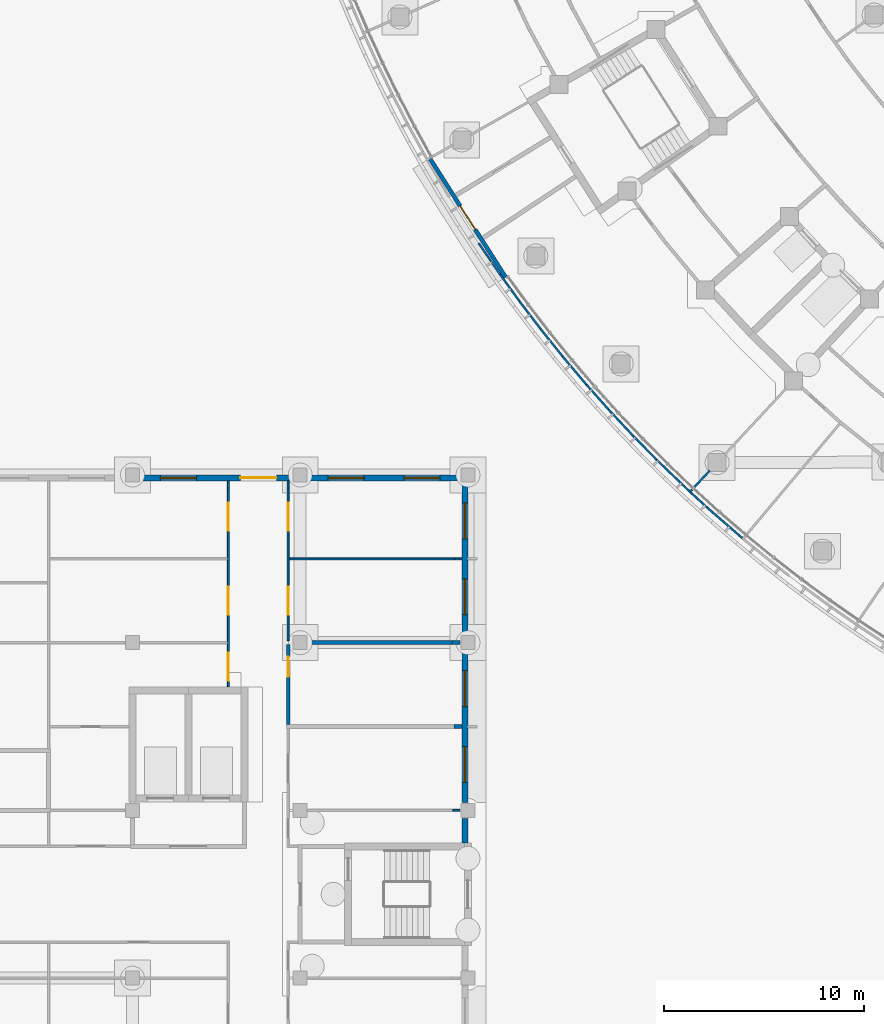
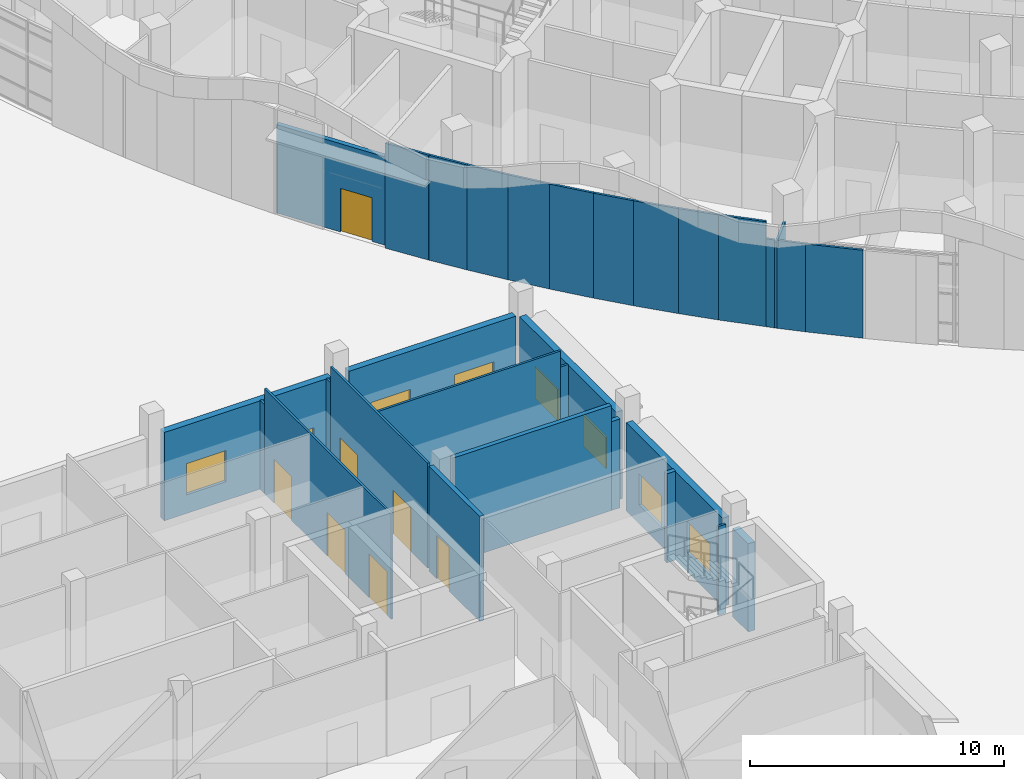
# One storey, part 58 of 146: 30 walls, 8 doors, 7 windows, 15 openings.
"""IFC4 building model written with IfcOpenShell, lengths in metres."""

from ifc_helpers import new_model, si_unit, direction, frame, frame_2d, origin, place, context, subcontext, project, spatial, rectangle, extrude, material, layer, layer_set, type_object, element, fill, save


model = new_model("IFC4")

# Units and contexts
model_context = context("Model", 3, precision=1e-05, world=origin(), true_north=direction((0.0, 1.0)))
body_context = subcontext(model_context, "Body", "Model", "MODEL_VIEW")
ifc_project = project(units=[si_unit("LENGTHUNIT", "METRE"), si_unit("AREAUNIT", "SQUARE_METRE"), si_unit("VOLUMEUNIT", "CUBIC_METRE"), si_unit("PLANEANGLEUNIT", "RADIAN"), si_unit("MASSUNIT", "GRAM", prefix="KILO")], contexts=[model_context])

# Site, building, storey
site_placement = place(None, origin())
site = spatial("IfcSite", under=ifc_project, at=site_placement, CompositionType="ELEMENT")
building_placement = place(site_placement, origin())
building = spatial("IfcBuilding", under=site, at=building_placement, Name="Bougainvillea Quay General Hospital", CompositionType="ELEMENT")
storey_placement = place(building_placement, origin())
storey = spatial("IfcBuildingStorey", under=building, at=storey_placement, Name="L00", CompositionType="ELEMENT", Elevation=0.0)

# Wall, opening, door
ifc_material_1 = material(Name="Insulated aluminium panel cladding, anodised silver", Category="aluminium")
ifc_layer_1 = layer(ifc_material_1, 0.199951171875)
ifc_layer_set_1 = layer_set([ifc_layer_1], Name="Insulated aluminium panel cladding, anodised silver")
wall_type_1 = type_object("IfcWallType", Name="Entrance portal wall 200", PredefinedType="STANDARD", material=ifc_layer_set_1)
wall_1_placement = place(storey_placement, frame((52.2890625, 85.501953125, 0.0), z_axis=(0.0, 0.0, 1.0), x_axis=(-0.537866880374, 0.843029785355, 0.0)))
wall_1 = element("IfcWall", 1, at=wall_1_placement, inside=storey, type_object=wall_type_1, Name="External wall wall/V6/L00/p0g1b5/00a", PredefinedType="STANDARD", context=body_context, shape_type="SweptSolid", body=[
    extrude(rectangle(XDim=7.072265625, YDim=0.199951171875, at=frame_2d((3.5361328125, 0.0))), origin(), (0.0, 0.0, 1.0), 4.25),
])
opening_1_placement = place(wall_1_placement, frame((2.8359375, 0.0, 0.0)))
opening_1 = element("IfcOpeningElement", 2, at=opening_1_placement, cuts=wall_1, Name="Opening L00.348", PredefinedType="OPENING", context=body_context, shape_type="SweptSolid", body=[
    extrude(rectangle(XDim=1.39990234375, YDim=2.10009765625, at=frame_2d((0.699951171875, 1.050048828125))), frame((0.0, 0.10986328125, 0.0), z_axis=(0.0, -1.0, 0.0), x_axis=(1.0, 0.0, 0.0)), (0.0, 0.0, 1.0), 0.219970703125),
])
ifc_material_2 = material(Name="Steel door leaf, painted, with vision panel", Category="steel")
door_type_1 = type_object("IfcDoorType", Name="Stair discharge door 1400x2100", OperationType="SINGLE_SWING_LEFT", PredefinedType="DOOR", material=ifc_material_2)
door_1_placement = place(opening_1_placement, origin())
door_1 = element("IfcDoor", 3, at=door_1_placement, inside=storey, type_object=door_type_1, Name="Stair discharge door ST-W2", OperationType="SINGLE_SWING_LEFT", OverallHeight=2.10009765625, OverallWidth=1.39990234375, PredefinedType="DOOR", context=body_context, shape_type="SweptSolid", body=[
    extrude(rectangle(XDim=1.39990234375, YDim=2.10009765625, at=frame_2d((0.699951171875, 1.050048828125))), frame((0.0, 0.02490234375, 0.0), z_axis=(0.0, -1.0, 0.0), x_axis=(1.0, 0.0, 0.0)), (0.0, 0.0, 1.0), 0.050048828125),
])
fill(opening_1, door_1)

# Wall, openings, windows
ifc_material_3 = material(Name="Pale stone rainscreen cladding on insulated masonry backing, pale stone", Category="masonry")
ifc_layer_2 = layer(ifc_material_3, 0.300048828125)
ifc_layer_set_2 = layer_set([ifc_layer_2], Name="Pale stone rainscreen cladding on insulated masonry backing, pale stone")
wall_type_2 = type_object("IfcWallType", Name="External wall pale stone rainscreen 300", PredefinedType="STANDARD", material=ifc_layer_set_2)
wall_2_placement = place(storey_placement, frame((50.25, 59.199951171875, 0.0), z_axis=(0.0, 0.0, 1.0), x_axis=(0.0, 1.0, 0.0)))
wall_2 = element("IfcWall", 4, at=wall_2_placement, inside=storey, type_object=wall_type_2, Name="External wall wall/V2/L00/p0/00e", PredefinedType="STANDARD", context=body_context, shape_type="SweptSolid", body=[
    extrude(rectangle(XDim=7.60009765625, YDim=0.300048828125, at=frame_2d((3.800048828125, 0.0))), origin(), (0.0, 0.0, 1.0), 4.25),
])
opening_2_placement = place(wall_2_placement, frame((1.0, 0.0, 0.89990234375)))
opening_2 = element("IfcOpeningElement", 5, at=opening_2_placement, cuts=wall_2, Name="Opening W1", PredefinedType="OPENING", context=body_context, shape_type="SweptSolid", body=[
    extrude(rectangle(XDim=1.800048828125, YDim=1.5, at=frame_2d((0.89990234375, 0.75))), frame((0.0, 0.159912109375, 0.0), z_axis=(0.0, -1.0, 0.0), x_axis=(1.0, 0.0, 0.0)), (0.0, 0.0, 1.0), 0.320068359375),
])
opening_3_placement = place(wall_2_placement, frame((4.800048828125, 0.0, 0.89990234375)))
opening_3 = element("IfcOpeningElement", 6, at=opening_3_placement, cuts=wall_2, Name="Opening W1", PredefinedType="OPENING", context=body_context, shape_type="SweptSolid", body=[
    extrude(rectangle(XDim=1.800048828125, YDim=1.5, at=frame_2d((0.89990234375, 0.75))), frame((0.0, 0.159912109375, 0.0), z_axis=(0.0, -1.0, 0.0), x_axis=(1.0, 0.0, 0.0)), (0.0, 0.0, 1.0), 0.320068359375),
])
ifc_material_4 = material(Name="Aluminium window frame with low-e double glazed unit", Category="aluminium")
window_type = type_object("IfcWindowType", Name="Window W1 1800x1500", PartitioningType="DOUBLE_PANEL_VERTICAL", PredefinedType="WINDOW", material=ifc_material_4)
window_1_placement = place(opening_2_placement, origin())
window_1 = element("IfcWindow", 7, at=window_1_placement, inside=storey, type_object=window_type, Name="Window W1 1", OverallHeight=1.5, OverallWidth=1.800048828125, PartitioningType="SINGLE_PANEL", PredefinedType="WINDOW", context=body_context, shape_type="SweptSolid", body=[
    extrude(rectangle(XDim=1.800048828125, YDim=1.5, at=frame_2d((0.89990234375, 0.75))), frame((0.0, 0.030029296875, 0.0), z_axis=(0.0, -1.0, 0.0), x_axis=(1.0, 0.0, 0.0)), (0.0, 0.0, 1.0), 0.06005859375),
])
fill(opening_2, window_1)
window_2_placement = place(opening_3_placement, origin())
window_2 = element("IfcWindow", 8, at=window_2_placement, inside=storey, type_object=window_type, Name="Window W1 2", OverallHeight=1.5, OverallWidth=1.800048828125, PartitioningType="SINGLE_PANEL", PredefinedType="WINDOW", context=body_context, shape_type="SweptSolid", body=[
    extrude(rectangle(XDim=1.800048828125, YDim=1.5, at=frame_2d((0.89990234375, 0.75))), frame((0.0, 0.030029296875, 0.0), z_axis=(0.0, -1.0, 0.0), x_axis=(1.0, 0.0, 0.0)), (0.0, 0.0, 1.0), 0.06005859375),
])
fill(opening_3, window_2)

wall_3_placement = place(storey_placement, frame((50.25, 67.60009765625, 0.0), z_axis=(0.0, 0.0, 1.0), x_axis=(0.0, 1.0, 0.0)))
wall_3 = element("IfcWall", 9, at=wall_3_placement, inside=storey, type_object=wall_type_2, Name="External wall wall/V2/L00/p0/00f", PredefinedType="STANDARD", context=body_context, shape_type="SweptSolid", body=[
    extrude(rectangle(XDim=7.599853515625, YDim=0.300048828125, at=frame_2d((3.7998046875, 0.0))), origin(), (0.0, 0.0, 1.0), 4.25),
])
opening_4_placement = place(wall_3_placement, frame((1.0, 0.0, 0.89990234375)))
opening_4 = element("IfcOpeningElement", 10, at=opening_4_placement, cuts=wall_3, Name="Opening W1", PredefinedType="OPENING", context=body_context, shape_type="SweptSolid", body=[
    extrude(rectangle(XDim=1.800048828125, YDim=1.5, at=frame_2d((0.89990234375, 0.75))), frame((0.0, 0.159912109375, 0.0), z_axis=(0.0, -1.0, 0.0), x_axis=(1.0, 0.0, 0.0)), (0.0, 0.0, 1.0), 0.320068359375),
])
opening_5_placement = place(wall_3_placement, frame((4.800048828125, 0.0, 0.89990234375)))
opening_5 = element("IfcOpeningElement", 11, at=opening_5_placement, cuts=wall_3, Name="Opening W1", PredefinedType="OPENING", context=body_context, shape_type="SweptSolid", body=[
    extrude(rectangle(XDim=1.800048828125, YDim=1.5, at=frame_2d((0.89990234375, 0.75))), frame((0.0, 0.159912109375, 0.0), z_axis=(0.0, -1.0, 0.0), x_axis=(1.0, 0.0, 0.0)), (0.0, 0.0, 1.0), 0.320068359375),
])
window_3_placement = place(opening_4_placement, origin())
window_3 = element("IfcWindow", 12, at=window_3_placement, inside=storey, type_object=window_type, Name="Window W1 1", OverallHeight=1.5, OverallWidth=1.800048828125, PartitioningType="SINGLE_PANEL", PredefinedType="WINDOW", context=body_context, shape_type="SweptSolid", body=[
    extrude(rectangle(XDim=1.800048828125, YDim=1.5, at=frame_2d((0.89990234375, 0.75))), frame((0.0, 0.030029296875, 0.0), z_axis=(0.0, -1.0, 0.0), x_axis=(1.0, 0.0, 0.0)), (0.0, 0.0, 1.0), 0.06005859375),
])
fill(opening_4, window_3)
window_4_placement = place(opening_5_placement, origin())
window_4 = element("IfcWindow", 13, at=window_4_placement, inside=storey, type_object=window_type, Name="Window W1 2", OverallHeight=1.5, OverallWidth=1.800048828125, PartitioningType="SINGLE_PANEL", PredefinedType="WINDOW", context=body_context, shape_type="SweptSolid", body=[
    extrude(rectangle(XDim=1.800048828125, YDim=1.5, at=frame_2d((0.89990234375, 0.75))), frame((0.0, 0.030029296875, 0.0), z_axis=(0.0, -1.0, 0.0), x_axis=(1.0, 0.0, 0.0)), (0.0, 0.0, 1.0), 0.06005859375),
])
fill(opening_5, window_4)

wall_4_placement = place(storey_placement, frame((50.0, 75.449951171875, 0.0), z_axis=(0.0, 0.0, 1.0), x_axis=(-1.0, 0.0, 0.0)))
wall_4 = element("IfcWall", 14, at=wall_4_placement, inside=storey, type_object=wall_type_2, Name="External wall wall/V2/L00/p0/01a", PredefinedType="STANDARD", context=body_context, shape_type="SweptSolid", body=[
    extrude(rectangle(XDim=7.60009765625, YDim=0.300048828125, at=frame_2d((3.800048828125, 0.0))), origin(), (0.0, 0.0, 1.0), 4.25),
])
opening_6_placement = place(wall_4_placement, frame((1.0, 0.0, 0.89990234375)))
opening_6 = element("IfcOpeningElement", 15, at=opening_6_placement, cuts=wall_4, Name="Opening W1", PredefinedType="OPENING", context=body_context, shape_type="SweptSolid", body=[
    extrude(rectangle(XDim=1.800048828125, YDim=1.5, at=frame_2d((0.89990234375, 0.75))), frame((0.0, 0.159912109375, 0.0), z_axis=(0.0, -1.0, 0.0), x_axis=(1.0, 0.0, 0.0)), (0.0, 0.0, 1.0), 0.320068359375),
])
opening_7_placement = place(wall_4_placement, frame((4.800048828125, 0.0, 0.89990234375)))
opening_7 = element("IfcOpeningElement", 16, at=opening_7_placement, cuts=wall_4, Name="Opening W1", PredefinedType="OPENING", context=body_context, shape_type="SweptSolid", body=[
    extrude(rectangle(XDim=1.800048828125, YDim=1.5, at=frame_2d((0.89990234375, 0.75))), frame((0.0, 0.159912109375, 0.0), z_axis=(0.0, -1.0, 0.0), x_axis=(1.0, 0.0, 0.0)), (0.0, 0.0, 1.0), 0.320068359375),
])
window_5_placement = place(opening_6_placement, origin())
window_5 = element("IfcWindow", 17, at=window_5_placement, inside=storey, type_object=window_type, Name="Window W1 1", OverallHeight=1.5, OverallWidth=1.800048828125, PartitioningType="SINGLE_PANEL", PredefinedType="WINDOW", context=body_context, shape_type="SweptSolid", body=[
    extrude(rectangle(XDim=1.800048828125, YDim=1.5, at=frame_2d((0.89990234375, 0.75))), frame((0.0, 0.030029296875, 0.0), z_axis=(0.0, -1.0, 0.0), x_axis=(1.0, 0.0, 0.0)), (0.0, 0.0, 1.0), 0.06005859375),
])
fill(opening_6, window_5)
window_6_placement = place(opening_7_placement, origin())
window_6 = element("IfcWindow", 18, at=window_6_placement, inside=storey, type_object=window_type, Name="Window W1 2", OverallHeight=1.5, OverallWidth=1.800048828125, PartitioningType="SINGLE_PANEL", PredefinedType="WINDOW", context=body_context, shape_type="SweptSolid", body=[
    extrude(rectangle(XDim=1.800048828125, YDim=1.5, at=frame_2d((0.89990234375, 0.75))), frame((0.0, 0.030029296875, 0.0), z_axis=(0.0, -1.0, 0.0), x_axis=(1.0, 0.0, 0.0)), (0.0, 0.0, 1.0), 0.06005859375),
])
fill(opening_7, window_6)

# Wall, openings, door, window
wall_5_placement = place(storey_placement, frame((41.60009765625, 75.449951171875, 0.0), z_axis=(0.0, 0.0, 1.0), x_axis=(-1.0, 0.0, 0.0)))
wall_5 = element("IfcWall", 19, at=wall_5_placement, inside=storey, type_object=wall_type_2, Name="External wall wall/V2/L00/p0/01b", PredefinedType="STANDARD", context=body_context, shape_type="SweptSolid", body=[
    extrude(rectangle(XDim=7.60009765625, YDim=0.300048828125, at=frame_2d((3.800048828125, 0.0))), origin(), (0.0, 0.0, 1.0), 4.25),
])
opening_8_placement = place(wall_5_placement, frame((0.800048828125, 0.0, 0.0)))
opening_8 = element("IfcOpeningElement", 20, at=opening_8_placement, cuts=wall_5, Name="Opening L00.322", PredefinedType="OPENING", context=body_context, shape_type="SweptSolid", body=[
    extrude(rectangle(XDim=1.800048828125, YDim=2.10009765625, at=frame_2d((0.89990234375, 1.050048828125))), frame((0.0, 0.159912109375, 0.0), z_axis=(0.0, -1.0, 0.0), x_axis=(1.0, 0.0, 0.0)), (0.0, 0.0, 1.0), 0.320068359375),
])
opening_9_placement = place(wall_5_placement, frame((4.800048828125, 0.0, 0.89990234375)))
opening_9 = element("IfcOpeningElement", 21, at=opening_9_placement, cuts=wall_5, Name="Opening W1", PredefinedType="OPENING", context=body_context, shape_type="SweptSolid", body=[
    extrude(rectangle(XDim=1.800048828125, YDim=1.5, at=frame_2d((0.89990234375, 0.75))), frame((0.0, 0.159912109375, 0.0), z_axis=(0.0, -1.0, 0.0), x_axis=(1.0, 0.0, 0.0)), (0.0, 0.0, 1.0), 0.320068359375),
])
ifc_material_5 = material(Name="Steel door set, painted, with vision panels", Category="steel")
door_type_2 = type_object("IfcDoorType", Name="Escape door 1800x2100", OperationType="DOUBLE_DOOR_SINGLE_SWING", PredefinedType="DOOR", material=ifc_material_5)
door_2_placement = place(opening_8_placement, frame((1.800048828125, 0.0, 0.0), z_axis=(0.0, 0.0, 1.0), x_axis=(-1.0, 0.0, 0.0)))
door_2 = element("IfcDoor", 22, at=door_2_placement, inside=storey, type_object=door_type_2, Name="Escape door 10", OperationType="SINGLE_SWING_LEFT", OverallHeight=2.10009765625, OverallWidth=1.800048828125, PredefinedType="DOOR", context=body_context, shape_type="SweptSolid", body=[
    extrude(rectangle(XDim=1.800048828125, YDim=2.10009765625, at=frame_2d((0.89990234375, 1.050048828125))), frame((0.0, 0.02490234375, 0.0), z_axis=(0.0, -1.0, 0.0), x_axis=(1.0, 0.0, 0.0)), (0.0, 0.0, 1.0), 0.050048828125),
])
fill(opening_8, door_2)
window_7_placement = place(opening_9_placement, origin())
window_7 = element("IfcWindow", 23, at=window_7_placement, inside=storey, type_object=window_type, Name="Window W1 2", OverallHeight=1.5, OverallWidth=1.800048828125, PartitioningType="SINGLE_PANEL", PredefinedType="WINDOW", context=body_context, shape_type="SweptSolid", body=[
    extrude(rectangle(XDim=1.800048828125, YDim=1.5, at=frame_2d((0.89990234375, 0.75))), frame((0.0, 0.030029296875, 0.0), z_axis=(0.0, -1.0, 0.0), x_axis=(1.0, 0.0, 0.0)), (0.0, 0.0, 1.0), 0.06005859375),
])
fill(opening_9, window_7)

# Walls
ifc_material_6 = material(Name="Terracotta rainscreen cladding on insulated masonry backing, terracotta", Category="masonry")
ifc_layer_3 = layer(ifc_material_6, 0.300048828125)
ifc_layer_set_3 = layer_set([ifc_layer_3], Name="Terracotta rainscreen cladding on insulated masonry backing, terracotta")
wall_type_3 = type_object("IfcWallType", Name="External wall terracotta rainscreen 300", PredefinedType="STANDARD", material=ifc_layer_set_3)
wall_6_placement = place(storey_placement, frame((50.25, 57.175048828125, 0.0), z_axis=(0.0, 0.0, 1.0), x_axis=(0.0, 1.0, 0.0)))
element("IfcWall", 24, at=wall_6_placement, inside=storey, type_object=wall_type_3, Name="External wall wall/V2/L00/p0/00d", PredefinedType="STANDARD", context=body_context, shape_type="SweptSolid", body=[
    extrude(rectangle(XDim=1.224853515625, YDim=0.300048828125, at=frame_2d((0.6123046875, 0.0))), origin(), (0.0, 0.0, 1.0), 4.25),
])
ifc_material_7 = material(Name="Gypsum board partition on steel studs", Category="steel")
ifc_layer_4 = layer(ifc_material_7, 0.10009765625)
ifc_layer_set_4 = layer_set([ifc_layer_4], Name="Gypsum board partition on steel studs")
wall_type_4 = type_object("IfcWallType", Name="Partition 100 Gypsum board partition", PredefinedType="PARTITIONING", material=ifc_layer_set_4)
wall_7_placement = place(storey_placement, frame((38.39990234375, 75.300048828125, 0.0), z_axis=(0.0, 0.0, 1.0), x_axis=(0.0, -1.0, 0.0)))
element("IfcWall", 25, at=wall_7_placement, inside=storey, type_object=wall_type_4, Name="Partition 100 mm", PredefinedType="PARTITIONING", context=body_context, shape_type="SweptSolid", body=[
    extrude(rectangle(XDim=0.35009765625, YDim=0.10009765625, at=frame_2d((0.175048828125, 0.0))), origin(), (0.0, 0.0, 1.0), 4.280029296875),
])

# Wall, openings, doors
wall_8_placement = place(storey_placement, frame((38.39990234375, 74.949951171875, 0.0), z_axis=(0.0, 0.0, 1.0), x_axis=(0.0, -1.0, 0.0)))
wall_8 = element("IfcWall", 26, at=wall_8_placement, inside=storey, type_object=wall_type_4, Name="Partition 100 mm", PredefinedType="PARTITIONING", context=body_context, shape_type="SweptSolid", body=[
    extrude(rectangle(XDim=9.974853515625, YDim=0.10009765625, at=frame_2d((4.9873046875, 0.0))), origin(), (0.0, 0.0, 1.0), 5.050048828125),
])
opening_10_placement = place(wall_8_placement, frame((8.25, 0.0, 0.0)))
opening_10 = element("IfcOpeningElement", 27, at=opening_10_placement, cuts=wall_8, Name="Opening L00.088", PredefinedType="OPENING", context=body_context, shape_type="SweptSolid", body=[
    extrude(rectangle(XDim=1.39990234375, YDim=2.10009765625, at=frame_2d((0.699951171875, 1.050048828125))), frame((0.0, 0.06005859375, 0.0), z_axis=(0.0, -1.0, 0.0), x_axis=(1.0, 0.0, 0.0)), (0.0, 0.0, 1.0), 0.1201171875),
])
opening_11_placement = place(wall_8_placement, frame((4.949951171875, 0.0, 0.0)))
opening_11 = element("IfcOpeningElement", 28, at=opening_11_placement, cuts=wall_8, Name="Opening L00.089", PredefinedType="OPENING", context=body_context, shape_type="SweptSolid", body=[
    extrude(rectangle(XDim=1.39990234375, YDim=2.10009765625, at=frame_2d((0.699951171875, 1.050048828125))), frame((0.0, 0.06005859375, 0.0), z_axis=(0.0, -1.0, 0.0), x_axis=(1.0, 0.0, 0.0)), (0.0, 0.0, 1.0), 0.1201171875),
])
opening_12_placement = place(wall_8_placement, frame((0.75, 0.0, 0.0)))
opening_12 = element("IfcOpeningElement", 29, at=opening_12_placement, cuts=wall_8, Name="Opening L00.090", PredefinedType="OPENING", context=body_context, shape_type="SweptSolid", body=[
    extrude(rectangle(XDim=1.39990234375, YDim=2.10009765625, at=frame_2d((0.699951171875, 1.050048828125))), frame((0.0, 0.06005859375, 0.0), z_axis=(0.0, -1.0, 0.0), x_axis=(1.0, 0.0, 0.0)), (0.0, 0.0, 1.0), 0.1201171875),
])
ifc_material_8 = material(Name="Solid-core timber door leaves in steel frame", Category="steel")
door_type_3 = type_object("IfcDoorType", Name="Bed door pair 1400x2100", OperationType="DOUBLE_DOOR_SINGLE_SWING", PredefinedType="DOOR", material=ifc_material_8)
door_3_placement = place(opening_10_placement, frame((1.39990234375, 0.0, 0.0), z_axis=(0.0, 0.0, 1.0), x_axis=(-1.0, 0.0, 0.0)))
door_3 = element("IfcDoor", 30, at=door_3_placement, inside=storey, type_object=door_type_3, Name="DT09 L00.088", OperationType="DOUBLE_DOOR_SINGLE_SWING", OverallHeight=2.10009765625, OverallWidth=1.39990234375, PredefinedType="DOOR", context=body_context, shape_type="SweptSolid", body=[
    extrude(rectangle(XDim=1.39990234375, YDim=2.10009765625, at=frame_2d((0.699951171875, 1.050048828125))), frame((0.0, 0.02490234375, 0.0), z_axis=(0.0, -1.0, 0.0), x_axis=(1.0, 0.0, 0.0)), (0.0, 0.0, 1.0), 0.050048828125),
])
fill(opening_10, door_3)
door_4_placement = place(opening_11_placement, frame((1.39990234375, 0.0, 0.0), z_axis=(0.0, 0.0, 1.0), x_axis=(-1.0, 0.0, 0.0)))
door_4 = element("IfcDoor", 31, at=door_4_placement, inside=storey, type_object=door_type_3, Name="DT09 L00.089", OperationType="DOUBLE_DOOR_SINGLE_SWING", OverallHeight=2.10009765625, OverallWidth=1.39990234375, PredefinedType="DOOR", context=body_context, shape_type="SweptSolid", body=[
    extrude(rectangle(XDim=1.39990234375, YDim=2.10009765625, at=frame_2d((0.699951171875, 1.050048828125))), frame((0.0, 0.02490234375, 0.0), z_axis=(0.0, -1.0, 0.0), x_axis=(1.0, 0.0, 0.0)), (0.0, 0.0, 1.0), 0.050048828125),
])
fill(opening_11, door_4)
door_5_placement = place(opening_12_placement, frame((1.39990234375, 0.0, 0.0), z_axis=(0.0, 0.0, 1.0), x_axis=(-1.0, 0.0, 0.0)))
door_5 = element("IfcDoor", 32, at=door_5_placement, inside=storey, type_object=door_type_3, Name="DT09 L00.090", OperationType="DOUBLE_DOOR_SINGLE_SWING", OverallHeight=2.10009765625, OverallWidth=1.39990234375, PredefinedType="DOOR", context=body_context, shape_type="SweptSolid", body=[
    extrude(rectangle(XDim=1.39990234375, YDim=2.10009765625, at=frame_2d((0.699951171875, 1.050048828125))), frame((0.0, 0.02490234375, 0.0), z_axis=(0.0, -1.0, 0.0), x_axis=(1.0, 0.0, 0.0)), (0.0, 0.0, 1.0), 0.050048828125),
])
fill(opening_12, door_5)

# Wall
wall_9_placement = place(storey_placement, frame((49.64990234375, 58.800048828125, 0.0), z_axis=(0.0, 0.0, 1.0), x_axis=(1.0, 0.0, 0.0)))
element("IfcWall", 33, at=wall_9_placement, inside=storey, type_object=wall_type_4, Name="Partition 100 mm", PredefinedType="PARTITIONING", context=body_context, shape_type="SweptSolid", body=[
    extrude(rectangle(XDim=0.35009765625, YDim=0.10009765625, at=frame_2d((0.175048828125, 0.0))), origin(), (0.0, 0.0, 1.0), 4.280029296875),
])

# Wall, openings, doors
wall_10_placement = place(storey_placement, frame((41.39990234375, 67.300048828125, 0.0), z_axis=(0.0, 0.0, 1.0), x_axis=(0.0, 1.0, 0.0)))
wall_10 = element("IfcWall", 34, at=wall_10_placement, inside=storey, type_object=wall_type_4, Name="Partition 100 mm", PredefinedType="PARTITIONING", context=body_context, shape_type="SweptSolid", body=[
    extrude(rectangle(XDim=7.64990234375, YDim=0.10009765625, at=frame_2d((3.824951171875, 0.0))), origin(), (0.0, 0.0, 1.0), 5.050048828125),
])
opening_13_placement = place(wall_10_placement, frame((1.300048828125, 0.0, 0.0)))
opening_13 = element("IfcOpeningElement", 35, at=opening_13_placement, cuts=wall_10, Name="Opening L00.094", PredefinedType="OPENING", context=body_context, shape_type="SweptSolid", body=[
    extrude(rectangle(XDim=1.39990234375, YDim=2.10009765625, at=frame_2d((0.699951171875, 1.050048828125))), frame((0.0, 0.06005859375, 0.0), z_axis=(0.0, -1.0, 0.0), x_axis=(1.0, 0.0, 0.0)), (0.0, 0.0, 1.0), 0.1201171875),
])
opening_14_placement = place(wall_10_placement, frame((5.5, 0.0, 0.0)))
opening_14 = element("IfcOpeningElement", 36, at=opening_14_placement, cuts=wall_10, Name="Opening L00.095", PredefinedType="OPENING", context=body_context, shape_type="SweptSolid", body=[
    extrude(rectangle(XDim=1.39990234375, YDim=2.10009765625, at=frame_2d((0.699951171875, 1.050048828125))), frame((0.0, 0.06005859375, 0.0), z_axis=(0.0, -1.0, 0.0), x_axis=(1.0, 0.0, 0.0)), (0.0, 0.0, 1.0), 0.1201171875),
])
door_6_placement = place(opening_13_placement, frame((1.39990234375, 0.0, 0.0), z_axis=(0.0, 0.0, 1.0), x_axis=(-1.0, 0.0, 0.0)))
door_6 = element("IfcDoor", 37, at=door_6_placement, inside=storey, type_object=door_type_3, Name="DT09 L00.094", OperationType="DOUBLE_DOOR_SINGLE_SWING", OverallHeight=2.10009765625, OverallWidth=1.39990234375, PredefinedType="DOOR", context=body_context, shape_type="SweptSolid", body=[
    extrude(rectangle(XDim=1.39990234375, YDim=2.10009765625, at=frame_2d((0.699951171875, 1.050048828125))), frame((0.0, 0.02490234375, 0.0), z_axis=(0.0, -1.0, 0.0), x_axis=(1.0, 0.0, 0.0)), (0.0, 0.0, 1.0), 0.050048828125),
])
fill(opening_13, door_6)
door_7_placement = place(opening_14_placement, frame((1.39990234375, 0.0, 0.0), z_axis=(0.0, 0.0, 1.0), x_axis=(-1.0, 0.0, 0.0)))
door_7 = element("IfcDoor", 38, at=door_7_placement, inside=storey, type_object=door_type_3, Name="DT09 L00.095", OperationType="DOUBLE_DOOR_SINGLE_SWING", OverallHeight=2.10009765625, OverallWidth=1.39990234375, PredefinedType="DOOR", context=body_context, shape_type="SweptSolid", body=[
    extrude(rectangle(XDim=1.39990234375, YDim=2.10009765625, at=frame_2d((0.699951171875, 1.050048828125))), frame((0.0, 0.02490234375, 0.0), z_axis=(0.0, -1.0, 0.0), x_axis=(1.0, 0.0, 0.0)), (0.0, 0.0, 1.0), 0.050048828125),
])
fill(opening_14, door_7)

# Walls
wall_11_placement = place(storey_placement, frame((41.39990234375, 74.949951171875, 0.0), z_axis=(0.0, 0.0, 1.0), x_axis=(0.0, 1.0, 0.0)))
element("IfcWall", 39, at=wall_11_placement, inside=storey, type_object=wall_type_4, Name="Partition 100 mm", PredefinedType="PARTITIONING", context=body_context, shape_type="SweptSolid", body=[
    extrude(rectangle(XDim=0.35009765625, YDim=0.10009765625, at=frame_2d((0.175048828125, 0.0))), origin(), (0.0, 0.0, 1.0), 4.280029296875),
])
wall_12_placement = place(storey_placement, frame((41.449951171875, 71.39990234375, 0.0), z_axis=(0.0, 0.0, 1.0), x_axis=(1.0, 0.0, 0.0)))
element("IfcWall", 40, at=wall_12_placement, inside=storey, type_object=wall_type_4, Name="Partition 100 mm", PredefinedType="PARTITIONING", context=body_context, shape_type="SweptSolid", body=[
    extrude(rectangle(XDim=8.300048828125, YDim=0.10009765625, at=frame_2d((4.14990234375, 0.0))), origin(), (0.0, 0.0, 1.0), 5.050048828125),
])
wall_13_placement = place(storey_placement, frame((49.75, 71.39990234375, 0.0), z_axis=(0.0, 0.0, 1.0), x_axis=(1.0, 0.0, 0.0)))
element("IfcWall", 41, at=wall_13_placement, inside=storey, type_object=wall_type_4, Name="Partition 100 mm", PredefinedType="PARTITIONING", context=body_context, shape_type="SweptSolid", body=[
    extrude(rectangle(XDim=0.35009765625, YDim=0.10009765625, at=frame_2d((0.175048828125, 0.0))), origin(), (0.0, 0.0, 1.0), 4.280029296875),
])
ifc_layer_5 = layer(ifc_material_7, 0.10009765625)
ifc_layer_set_5 = layer_set([ifc_layer_5], Name="Gypsum board partition on steel studs")
wall_type_5 = type_object("IfcWallType", Name="Partition 100 Gypsum board partition EI 30", PredefinedType="PARTITIONING", material=ifc_layer_set_5)
wall_14_placement = place(storey_placement, frame((61.48681640625, 74.719482421875, 0.0), z_axis=(0.0, 0.0, 1.0), x_axis=(0.681355821593, 0.731952351168, 0.0)))
element("IfcWall", 42, at=wall_14_placement, inside=storey, type_object=wall_type_5, Name="Partition 100 mm EI 30", PredefinedType="PARTITIONING", context=body_context, shape_type="SweptSolid", body=[
    extrude(rectangle(XDim=1.51025390625, YDim=0.10009765625, at=frame_2d((0.755126953125, 0.0))), origin(), (0.0, 0.0, 1.0), 4.1298828125),
])
wall_15_placement = place(storey_placement, frame((62.393310546875, 73.955810546875, 0.0), z_axis=(0.0, 0.0, 1.0), x_axis=(0.754968559449, -0.655760988657, 0.0)))
element("IfcWall", 43, at=wall_15_placement, inside=storey, type_object=wall_type_5, Name="Partition 100 mm EI 30", PredefinedType="PARTITIONING", context=body_context, shape_type="SweptSolid", body=[
    extrude(rectangle(XDim=2.315673828125, YDim=0.10009765625, at=frame_2d((1.15771484375, 0.0))), origin(), (0.0, 0.0, 1.0), 4.22998046875),
])
wall_16_placement = place(storey_placement, frame((59.848876953125, 76.361572265625, 0.0), z_axis=(0.0, 0.0, 1.0), x_axis=(0.721349151434, -0.692571585993, 0.0)))
element("IfcWall", 44, at=wall_16_placement, inside=storey, type_object=wall_type_5, Name="Partition 100 mm EI 30", PredefinedType="PARTITIONING", context=body_context, shape_type="SweptSolid", body=[
    extrude(rectangle(XDim=1.917236328125, YDim=0.10009765625, at=frame_2d((0.95849609375, 0.0))), origin(), (0.0, 0.0, 1.0), 5.050048828125),
])
wall_17_placement = place(storey_placement, frame((61.23193359375, 75.03369140625, 0.0), z_axis=(0.0, 0.0, 1.0), x_axis=(0.721261855582, -0.692662497672, 0.0)))
element("IfcWall", 45, at=wall_17_placement, inside=storey, type_object=wall_type_5, Name="Partition 100 mm EI 30", PredefinedType="PARTITIONING", context=body_context, shape_type="SweptSolid", body=[
    extrude(rectangle(XDim=0.35009765625, YDim=0.10009765625, at=frame_2d((0.175048828125, 0.0))), origin(), (0.0, 0.0, 1.0), 4.22998046875),
])
wall_18_placement = place(storey_placement, frame((50.940673828125, 87.20556640625, 0.0), z_axis=(0.0, 0.0, 1.0), x_axis=(0.564023349805, -0.825758839417, 0.0)))
element("IfcWall", 46, at=wall_18_placement, inside=storey, type_object=wall_type_5, Name="Partition 100 mm EI 30", PredefinedType="PARTITIONING", context=body_context, shape_type="SweptSolid", body=[
    extrude(rectangle(XDim=1.908447265625, YDim=0.10009765625, at=frame_2d((0.9541015625, 0.0))), origin(), (0.0, 0.0, 1.0), 5.050048828125),
])
wall_19_placement = place(storey_placement, frame((57.428955078125, 78.890380859375, 0.0), z_axis=(0.0, 0.0, 1.0), x_axis=(0.682750677332, -0.730651430303, 0.0)))
element("IfcWall", 47, at=wall_19_placement, inside=storey, type_object=wall_type_5, Name="Partition 100 mm EI 30", PredefinedType="PARTITIONING", context=body_context, shape_type="SweptSolid", body=[
    extrude(rectangle(XDim=1.85009765625, YDim=0.10009765625, at=frame_2d((0.925048828125, 0.0))), origin(), (0.0, 0.0, 1.0), 5.050048828125),
])
wall_20_placement = place(storey_placement, frame((58.692138671875, 77.540283203125, 0.0), z_axis=(0.0, 0.0, 1.0), x_axis=(0.701098643796, -0.713064297008, 0.0)))
element("IfcWall", 48, at=wall_20_placement, inside=storey, type_object=wall_type_5, Name="Partition 100 mm EI 30", PredefinedType="PARTITIONING", context=body_context, shape_type="SweptSolid", body=[
    extrude(rectangle(XDim=1.652587890625, YDim=0.10009765625, at=frame_2d((0.826171875, 0.0))), origin(), (0.0, 0.0, 1.0), 5.050048828125),
])
wall_21_placement = place(storey_placement, frame((55.1396484375, 81.537109375, 0.0), z_axis=(0.0, 0.0, 1.0), x_axis=(0.645220192277, -0.763996664572, 0.0)))
element("IfcWall", 49, at=wall_21_placement, inside=storey, type_object=wall_type_5, Name="Partition 100 mm EI 30", PredefinedType="PARTITIONING", context=body_context, shape_type="SweptSolid", body=[
    extrude(rectangle(XDim=1.849853515625, YDim=0.10009765625, at=frame_2d((0.9248046875, 0.0))), origin(), (0.0, 0.0, 1.0), 5.050048828125),
])
wall_22_placement = place(storey_placement, frame((54.044677734375, 82.902099609375, 0.0), z_axis=(0.0, 0.0, 1.0), x_axis=(0.626326050735, -0.779561208739, 0.0)))
element("IfcWall", 50, at=wall_22_placement, inside=storey, type_object=wall_type_5, Name="Partition 100 mm EI 30", PredefinedType="PARTITIONING", context=body_context, shape_type="SweptSolid", body=[
    extrude(rectangle(XDim=1.7509765625, YDim=0.10009765625, at=frame_2d((0.87548828125, 0.0))), origin(), (0.0, 0.0, 1.0), 5.050048828125),
])
wall_23_placement = place(storey_placement, frame((56.33349609375, 80.12548828125, 0.0), z_axis=(0.0, 0.0, 1.0), x_axis=(0.664125317946, -0.747621269135, 0.0)))
element("IfcWall", 51, at=wall_23_placement, inside=storey, type_object=wall_type_5, Name="Partition 100 mm EI 30", PredefinedType="PARTITIONING", context=body_context, shape_type="SweptSolid", body=[
    extrude(rectangle(XDim=1.652099609375, YDim=0.10009765625, at=frame_2d((0.826171875, 0.0))), origin(), (0.0, 0.0, 1.0), 5.050048828125),
])
wall_24_placement = place(storey_placement, frame((52.984619140625, 84.293701171875, 0.0), z_axis=(0.0, 0.0, 1.0), x_axis=(0.606517916559, -0.795069818879, 0.0)))
element("IfcWall", 52, at=wall_24_placement, inside=storey, type_object=wall_type_5, Name="Partition 100 mm EI 30", PredefinedType="PARTITIONING", context=body_context, shape_type="SweptSolid", body=[
    extrude(rectangle(XDim=1.75048828125, YDim=0.10009765625, at=frame_2d((0.875244140625, 0.0))), origin(), (0.0, 0.0, 1.0), 5.050048828125),
])
wall_25_placement = place(storey_placement, frame((52.017578125, 85.631591796875, 0.0), z_axis=(0.0, 0.0, 1.0), x_axis=(0.586412859741, -0.810012319617, 0.0)))
element("IfcWall", 53, at=wall_25_placement, inside=storey, type_object=wall_type_5, Name="Partition 100 mm EI 30", PredefinedType="PARTITIONING", context=body_context, shape_type="SweptSolid", body=[
    extrude(rectangle(XDim=1.652099609375, YDim=0.10009765625, at=frame_2d((0.826171875, 0.0))), origin(), (0.0, 0.0, 1.0), 5.050048828125),
])
wall_26_placement = place(storey_placement, frame((61.55810546875, 74.721923828125, 0.0), z_axis=(0.0, 0.0, 1.0), x_axis=(0.737618418346, -0.67521779369, 0.0)))
element("IfcWall", 54, at=wall_26_placement, inside=storey, type_object=wall_type_5, Name="Partition 100 mm EI 30", PredefinedType="PARTITIONING", context=body_context, shape_type="SweptSolid", body=[
    extrude(rectangle(XDim=1.134521484375, YDim=0.10009765625, at=frame_2d((0.5673828125, 0.0))), origin(), (0.0, 0.0, 1.0), 4.22998046875),
])
ifc_material_9 = material(Name="Fire-rated autoclaved aerated block wall, plastered")
ifc_layer_6 = layer(ifc_material_9, 0.199951171875)
ifc_layer_set_6 = layer_set([ifc_layer_6], Name="Fire-rated autoclaved aerated block wall, plastered")
wall_type_6 = type_object("IfcWallType", Name="Partition 200 Fire-rated autoclaved aerated block wall EI 60", PredefinedType="SOLIDWALL", material=ifc_layer_set_6)
wall_27_placement = place(storey_placement, frame((49.699951171875, 63.0, 0.0), z_axis=(0.0, 0.0, 1.0), x_axis=(1.0, 0.0, 0.0)))
element("IfcWall", 55, at=wall_27_placement, inside=storey, type_object=wall_type_6, Name="Partition 200 mm EI 60", PredefinedType="SOLIDWALL", context=body_context, shape_type="SweptSolid", body=[
    extrude(rectangle(XDim=0.400146484375, YDim=0.199951171875, at=frame_2d((0.2001953125, 0.0))), origin(), (0.0, 0.0, 1.0), 4.280029296875),
])
wall_28_placement = place(storey_placement, frame((42.39990234375, 67.199951171875, 0.0), z_axis=(0.0, 0.0, 1.0), x_axis=(1.0, 0.0, 0.0)))
element("IfcWall", 56, at=wall_28_placement, inside=storey, type_object=wall_type_6, Name="Partition 200 mm EI 60", PredefinedType="SOLIDWALL", context=body_context, shape_type="SweptSolid", body=[
    extrude(rectangle(XDim=7.2001953125, YDim=0.199951171875, at=frame_2d((3.60009765625, 0.0))), origin(), (0.0, 0.0, 1.0), 5.050048828125),
])
wall_29_placement = place(storey_placement, frame((49.60009765625, 67.199951171875, 0.0), z_axis=(0.0, 0.0, 1.0), x_axis=(1.0, 0.0, 0.0)))
element("IfcWall", 57, at=wall_29_placement, inside=storey, type_object=wall_type_6, Name="Partition 200 mm EI 60", PredefinedType="SOLIDWALL", context=body_context, shape_type="SweptSolid", body=[
    extrude(rectangle(XDim=0.39990234375, YDim=0.199951171875, at=frame_2d((0.199951171875, 0.0))), origin(), (0.0, 0.0, 1.0), 4.280029296875),
])

# Wall, opening, door
wall_30_placement = place(storey_placement, frame((41.39990234375, 63.10009765625, 0.0), z_axis=(0.0, 0.0, 1.0), x_axis=(0.0, 1.0, 0.0)))
wall_30 = element("IfcWall", 58, at=wall_30_placement, inside=storey, type_object=wall_type_6, Name="Partition 200 mm EI 60", PredefinedType="SOLIDWALL", context=body_context, shape_type="SweptSolid", body=[
    extrude(rectangle(XDim=4.0, YDim=0.199951171875, at=frame_2d((2.0, 0.0))), origin(), (0.0, 0.0, 1.0), 5.050048828125),
])
opening_15_placement = place(wall_30_placement, frame((2.39990234375, 0.0, 0.0)))
opening_15 = element("IfcOpeningElement", 59, at=opening_15_placement, cuts=wall_30, Name="Opening L00.093", PredefinedType="OPENING", context=body_context, shape_type="SweptSolid", body=[
    extrude(rectangle(XDim=1.0, YDim=2.10009765625, at=frame_2d((0.5, 1.050048828125))), frame((0.0, 0.10986328125, 0.0), z_axis=(0.0, -1.0, 0.0), x_axis=(1.0, 0.0, 0.0)), (0.0, 0.0, 1.0), 0.219970703125),
])
ifc_material_10 = material(Name="Steel fire door leaf in steel frame", Category="steel")
door_type_4 = type_object("IfcDoorType", Name="Steel single leaf door 1000x2100 FD60", OperationType="NOTDEFINED", PredefinedType="DOOR", material=ifc_material_10)
door_8_placement = place(opening_15_placement, frame((1.0, 0.0, 0.0), z_axis=(0.0, 0.0, 1.0), x_axis=(-1.0, 0.0, 0.0)))
door_8 = element("IfcDoor", 60, at=door_8_placement, inside=storey, type_object=door_type_4, Name="DT10 L00.093", OperationType="SINGLE_SWING_LEFT", OverallHeight=2.10009765625, OverallWidth=1.0, PredefinedType="DOOR", context=body_context, shape_type="SweptSolid", body=[
    extrude(rectangle(XDim=1.0, YDim=2.10009765625, at=frame_2d((0.5, 1.050048828125))), frame((0.0, 0.02490234375, 0.0), z_axis=(0.0, -1.0, 0.0), x_axis=(1.0, 0.0, 0.0)), (0.0, 0.0, 1.0), 0.050048828125),
])
fill(opening_15, door_8)

save(model, "model.ifc")
